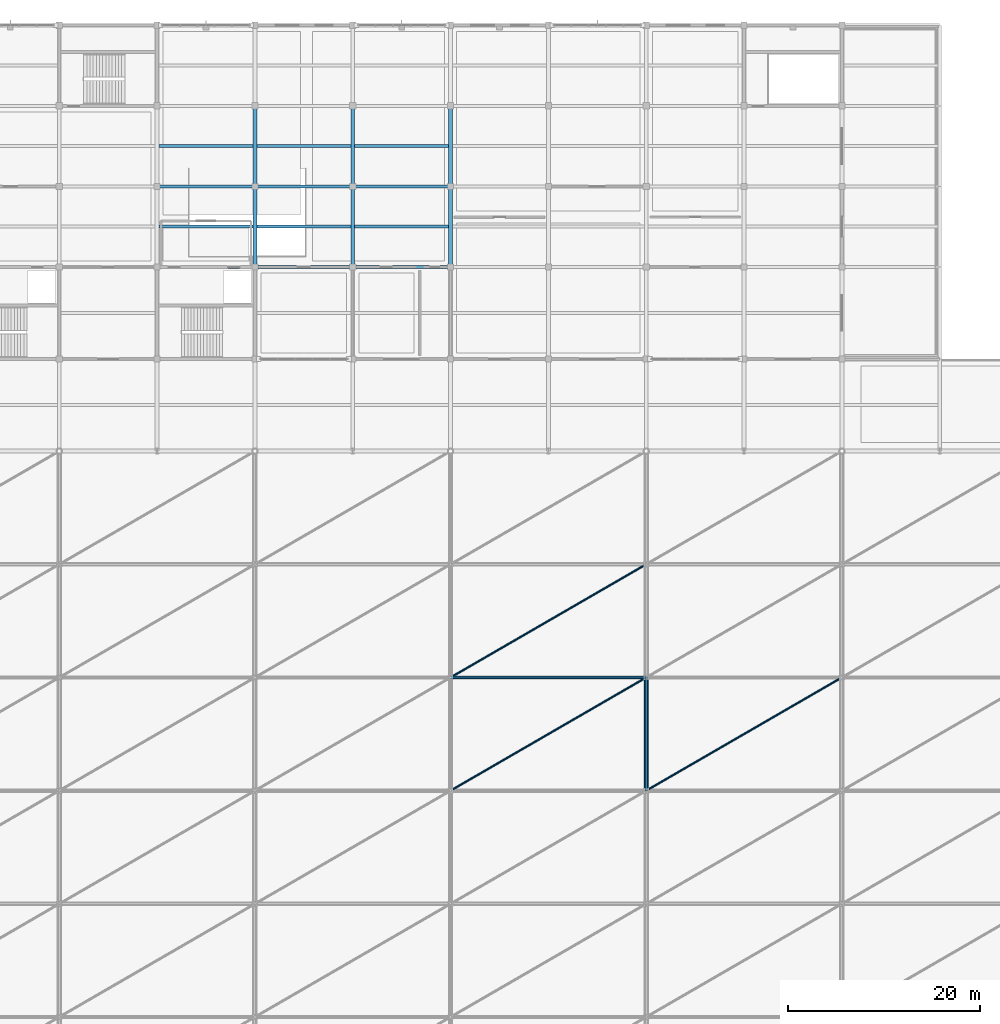
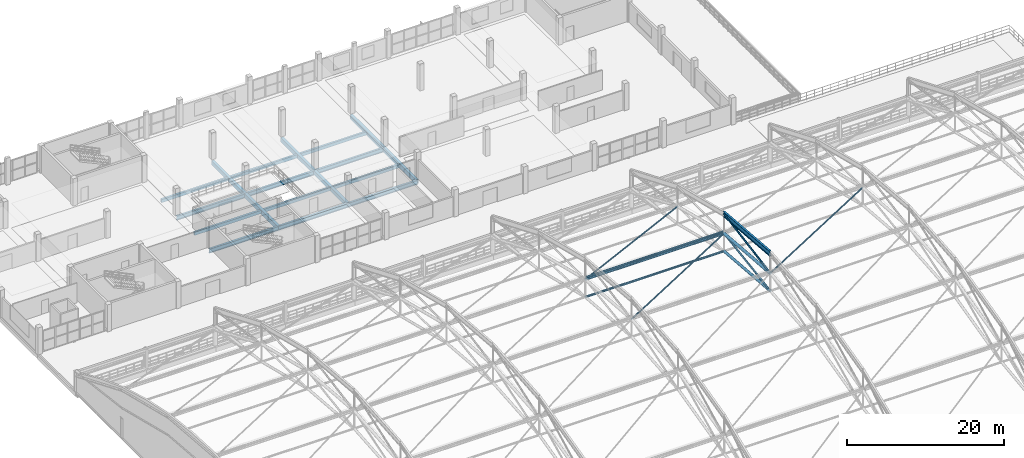
# One storey, part 37 of 135: 19 beams, 10 members.
"""IFC4 building model written with IfcOpenShell, lengths in metres."""

from ifc_helpers import new_model, si_unit, direction, frame, origin, origin_2d, place, context, subcontext, project, spatial, rectangle, hollow_circle, i_section, extrude, material, material_profile, profile_set, type_object, element, save


model = new_model("IFC4")

# Units and contexts
model_context = context("Model", 3, precision=1e-05, world=origin(), true_north=direction((0.0, 1.0)))
body_context = subcontext(model_context, "Body", "Model", "MODEL_VIEW")
ifc_project = project(units=[si_unit("LENGTHUNIT", "METRE"), si_unit("AREAUNIT", "SQUARE_METRE"), si_unit("VOLUMEUNIT", "CUBIC_METRE"), si_unit("PLANEANGLEUNIT", "RADIAN"), si_unit("MASSUNIT", "GRAM", prefix="KILO")], contexts=[model_context])

# Site, building, storey
site_placement = place(None, origin())
site = spatial("IfcSite", under=ifc_project, at=site_placement, CompositionType="ELEMENT")
building_placement = place(site_placement, origin())
building = spatial("IfcBuilding", under=site, at=building_placement, Name="Brelvane Convention Centre", CompositionType="ELEMENT")
storey_placement = place(building_placement, frame((0.0, 0.0, 15.0)))
storey = spatial("IfcBuildingStorey", under=building, at=storey_placement, Name="L03", CompositionType="ELEMENT", Elevation=15.0)

# Beams
ifc_material_1 = material(Name="Concrete M40", Category="concrete")
ifc_material_profile_1 = material_profile(ifc_material_1, rectangle(XDim=0.39990234375, YDim=0.64990234375, at=origin_2d()), Name="RC 400x650")
ifc_profile_set_1 = profile_set([ifc_material_profile_1], Name="Concrete M40")
beam_type_1 = type_object("IfcBeamType", Name="RC Beam B-RC7 (RC 400x650)", PredefinedType="BEAM", material=ifc_profile_set_1)
beam_1_placement = place(storey_placement, frame((40.800048828125, 118.800048828125, -0.6201171875), z_axis=(0.0, 1.0, 0.0), x_axis=(-1.0, 0.0, 0.0)))
element("IfcBeam", 1, at=beam_1_placement, inside=storey, type_object=beam_type_1, Name="L03 Girder 5/M-N", PredefinedType="BEAM", context=body_context, shape_type="SweptSolid", body=[
    extrude(rectangle(XDim=0.39990234375, YDim=0.64990234375, at=origin_2d()), origin(), (0.0, 0.0, 1.0), 8.39990234375),
])
beam_2_placement = place(storey_placement, frame((40.800048828125, 127.199951171875, -0.6201171875), z_axis=(0.0, 1.0, 0.0), x_axis=(-1.0, 0.0, 0.0)))
element("IfcBeam", 2, at=beam_2_placement, inside=storey, type_object=beam_type_1, Name="L03 Girder 5/N-P", PredefinedType="BEAM", context=body_context, shape_type="SweptSolid", body=[
    extrude(rectangle(XDim=0.39990234375, YDim=0.64990234375, at=origin_2d()), origin(), (0.0, 0.0, 1.0), 8.400146484375),
])
beam_3_placement = place(storey_placement, frame((51.0, 118.800048828125, -0.6201171875), z_axis=(0.0, 1.0, 0.0), x_axis=(-1.0, 0.0, 0.0)))
element("IfcBeam", 3, at=beam_3_placement, inside=storey, type_object=beam_type_1, Name="L03 Girder 6/M-N", PredefinedType="BEAM", context=body_context, shape_type="SweptSolid", body=[
    extrude(rectangle(XDim=0.39990234375, YDim=0.64990234375, at=origin_2d()), origin(), (0.0, 0.0, 1.0), 8.39990234375),
])
beam_4_placement = place(storey_placement, frame((51.0, 127.199951171875, -0.6201171875), z_axis=(0.0, 1.0, 0.0), x_axis=(-1.0, 0.0, 0.0)))
element("IfcBeam", 4, at=beam_4_placement, inside=storey, type_object=beam_type_1, Name="L03 Girder 6/N-P", PredefinedType="BEAM", context=body_context, shape_type="SweptSolid", body=[
    extrude(rectangle(XDim=0.39990234375, YDim=0.64990234375, at=origin_2d()), origin(), (0.0, 0.0, 1.0), 8.400146484375),
])
beam_5_placement = place(storey_placement, frame((61.199951171875, 118.800048828125, -0.6201171875), z_axis=(0.0, 1.0, 0.0), x_axis=(-1.0, 0.0, 0.0)))
element("IfcBeam", 5, at=beam_5_placement, inside=storey, type_object=beam_type_1, Name="L03 Girder 7/M-N", PredefinedType="BEAM", context=body_context, shape_type="SweptSolid", body=[
    extrude(rectangle(XDim=0.39990234375, YDim=0.64990234375, at=origin_2d()), origin(), (0.0, 0.0, 1.0), 8.39990234375),
])
beam_6_placement = place(storey_placement, frame((61.199951171875, 127.199951171875, -0.6201171875), z_axis=(0.0, 1.0, 0.0), x_axis=(-1.0, 0.0, 0.0)))
element("IfcBeam", 6, at=beam_6_placement, inside=storey, type_object=beam_type_1, Name="L03 Girder 7/N-P", PredefinedType="BEAM", context=body_context, shape_type="SweptSolid", body=[
    extrude(rectangle(XDim=0.39990234375, YDim=0.64990234375, at=origin_2d()), origin(), (0.0, 0.0, 1.0), 8.400146484375),
])
ifc_material_2 = material(Name="Concrete M40", Category="concrete")
ifc_material_profile_2 = material_profile(ifc_material_2, rectangle(XDim=0.300048828125, YDim=0.5, at=origin_2d()), Name="RC 300x500")
ifc_profile_set_2 = profile_set([ifc_material_profile_2], Name="Concrete M40")
beam_type_2 = type_object("IfcBeamType", Name="RC Joist J-RC2 (RC 300x500)", PredefinedType="JOIST", material=ifc_profile_set_2)
for number, where, z_axis, x_axis, name in (
    (7, (30.800048828125, 123.0, -0.544921875), (1.0, 0.0, 0.0), (0.0, 1.0, 0.0), "L03 Secondary Joist 4-5/MN"),
    (8, (30.800048828125, 131.39990234375, -0.544921875), (1.0, 0.0, 0.0), (0.0, 1.0, 0.0), "L03 Secondary Joist 4-5/NP"),
    (9, (41.0, 123.0, -0.544921875), (1.0, 0.0, 0.0), (0.0, 1.0, 0.0), "L03 Secondary Joist 5-6/MN"),
    (10, (41.0, 131.39990234375, -0.544921875), (1.0, 0.0, 0.0), (0.0, 1.0, 0.0), "L03 Secondary Joist 5-6/NP"),
    (11, (51.199951171875, 123.0, -0.544921875), (1.0, 0.0, 0.0), (0.0, 1.0, 0.0), "L03 Secondary Joist 6-7/MN"),
    (12, (51.199951171875, 131.39990234375, -0.544921875), (1.0, 0.0, 0.0), (0.0, 1.0, 0.0), "L03 Secondary Joist 6-7/NP"),
):
    element("IfcBeam", number, at=place(storey_placement, frame(where, z_axis=z_axis, x_axis=x_axis)), inside=storey, type_object=beam_type_2, Name=name, PredefinedType="JOIST", context=body_context, shape_type="SweptSolid", body=[
        extrude(rectangle(XDim=0.300048828125, YDim=0.5, at=origin_2d()), origin(), (0.0, 0.0, 1.0), 9.800048828125),
    ])
ifc_material_3 = material(Name="Steel E450 (450 MPa)", Category="steel")
ifc_material_profile_3 = material_profile(ifc_material_3, i_section(OverallWidth=0.300048828125, OverallDepth=0.800048828125, WebThickness=0.015380859375, FlangeThickness=0.030029296875, FilletRadius=0.027099609375, at=origin_2d()), Name="NPB 800x300")
ifc_profile_set_3 = profile_set([ifc_material_profile_3], Name="Steel E450 (450 MPa)")
beam_type_3 = type_object("IfcBeamType", Name="Steel Beam B-ST2 (NPB 800x300)", PredefinedType="BEAM", material=ifc_profile_set_3)
beam_7_placement = place(storey_placement, frame((81.60009765625, 64.199951171875, 14.199951171875), z_axis=(0.0, 0.996584470208, -0.082579620615), x_axis=(-1.0, 0.0, 0.0)))
element("IfcBeam", 13, at=beam_7_placement, inside=storey, type_object=beam_type_3, Name="EXO_EXH Exoskeletal Arch Girder 5.4", PredefinedType="BEAM", context=body_context, shape_type="SweptSolid", body=[
    extrude(i_section(OverallWidth=0.300048828125, OverallDepth=0.800048828125, WebThickness=0.015380859375, FlangeThickness=0.030029296875, FilletRadius=0.027099609375, at=origin_2d()), origin(), (0.0, 0.0, 1.0), 11.840576171875),
])
ifc_material_4 = material(Name="Steel E350 (350 MPa)", Category="steel")
ifc_material_profile_4 = material_profile(ifc_material_4, i_section(OverallWidth=0.300048828125, OverallDepth=0.64990234375, WebThickness=0.014404296875, FlangeThickness=0.02587890625, FilletRadius=0.02392578125, at=origin_2d()), Name="NPB 650x300")
ifc_profile_set_4 = profile_set([ifc_material_profile_4], Name="Steel E350 (350 MPa)")
beam_type_4 = type_object("IfcBeamType", Name="Steel Beam B-ST4 (NPB 650x300)", PredefinedType="BEAM", material=ifc_profile_set_4)
for number, where, z_axis, x_axis, name in (
    (14, (30.60009765625, 118.800048828125, -0.6201171875), (1.0, 0.0, 0.0), (0.0, 1.0, 0.0), "L03 Beam 4-5/M"),
    (15, (30.60009765625, 127.199951171875, -0.6201171875), (1.0, 0.0, 0.0), (0.0, 1.0, 0.0), "L03 Beam 4-5/N"),
    (16, (40.800048828125, 118.800048828125, -0.6201171875), (1.0, 0.0, 0.0), (0.0, 1.0, 0.0), "L03 Beam 5-6/M"),
    (17, (40.800048828125, 127.199951171875, -0.6201171875), (1.0, 0.0, 0.0), (0.0, 1.0, 0.0), "L03 Beam 5-6/N"),
    (18, (51.0, 118.800048828125, -0.6201171875), (1.0, 0.0, 0.0), (0.0, 1.0, 0.0), "L03 Beam 6-7/M"),
    (19, (51.0, 127.199951171875, -0.6201171875), (1.0, 0.0, 0.0), (0.0, 1.0, 0.0), "L03 Beam 6-7/N"),
):
    element("IfcBeam", number, at=place(storey_placement, frame(where, z_axis=z_axis, x_axis=x_axis)), inside=storey, type_object=beam_type_4, Name=name, PredefinedType="BEAM", context=body_context, shape_type="SweptSolid", body=[
        extrude(i_section(OverallWidth=0.300048828125, OverallDepth=0.64990234375, WebThickness=0.014404296875, FlangeThickness=0.02587890625, FilletRadius=0.02392578125, at=origin_2d()), origin(), (0.0, 0.0, 1.0), 10.199951171875),
    ])

# Members
ifc_material_5 = material(Name="Steel E350 (350 MPa)", Category="steel")
ifc_material_profile_5 = material_profile(ifc_material_5, hollow_circle(Radius=0.136474609375, WallThickness=0.012451171875, at=origin_2d()), Name="CHS 273.0x12.5")
ifc_profile_set_5 = profile_set([ifc_material_profile_5], Name="Steel E350 (350 MPa)")
member_type_1 = type_object("IfcMemberType", Name="Steel Brace SF-DG1 (CHS 273.0x12.5)", PredefinedType="BRACE", material=ifc_profile_set_5)
member_1_placement = place(storey_placement, frame((81.60009765625, 64.199951171875, 8.39990234375), z_axis=(0.0, 0.989032056502, 0.147701019672), x_axis=(-1.0, 0.0, 0.0)))
element("IfcMember", 20, at=member_1_placement, inside=storey, type_object=member_type_1, Name="SF_EXH Space-Frame Web Diagonal D5.4", PredefinedType="BRACE", context=body_context, shape_type="SweptSolid", body=[
    extrude(hollow_circle(Radius=0.136474609375, WallThickness=0.012451171875, at=origin_2d()), origin(), (0.0, 0.0, 1.0), 11.930908203125),
])
member_2_placement = place(storey_placement, frame((81.60009765625, 64.199951171875, 11.139892578125), z_axis=(0.0, 0.984784789498, 0.173778359912), x_axis=(-1.0, 0.0, 0.0)))
element("IfcMember", 21, at=member_2_placement, inside=storey, type_object=member_type_1, Name="EXO_EXH Exoskeletal Arch Web 5.4", PredefinedType="BRACE", context=body_context, shape_type="SweptSolid", body=[
    extrude(hollow_circle(Radius=0.136474609375, WallThickness=0.012451171875, at=origin_2d()), origin(), (0.0, 0.0, 1.0), 11.982421875),
])
ifc_material_6 = material(Name="Steel E350 (350 MPa)", Category="steel")
ifc_material_profile_6 = material_profile(ifc_material_6, hollow_circle(Radius=0.109619140625, WallThickness=0.010009765625, at=origin_2d()), Name="CHS 219.1x10.0")
ifc_profile_set_6 = profile_set([ifc_material_profile_6], Name="Steel E350 (350 MPa)")
member_type_2 = type_object("IfcMemberType", Name="Steel Brace SF-DG2 (CHS 219.1x10.0)", PredefinedType="BRACE", material=ifc_profile_set_6)
member_3_placement = place(storey_placement, frame((61.199951171875, 64.199951171875, 11.139892578125), z_axis=(0.864876490486, 0.500270173346, -0.041453707493), x_axis=(-0.500700562715, 0.865620555727, 0.0)))
element("IfcMember", 22, at=member_3_placement, inside=storey, type_object=member_type_2, Name="SF_EXH Roof Diaphragm Brace PB4.4", PredefinedType="BRACE", context=body_context, shape_type="SweptSolid", body=[
    extrude(hollow_circle(Radius=0.109619140625, WallThickness=0.010009765625, at=origin_2d()), origin(), (0.0, 0.0, 1.0), 23.58740234375),
])
member_4_placement = place(storey_placement, frame((61.199951171875, 76.0, 10.162109375), z_axis=(0.858993332248, 0.496867180406, -0.123504899456), x_axis=(-0.500700562715, 0.865620555727, 0.0)))
element("IfcMember", 23, at=member_4_placement, inside=storey, type_object=member_type_2, Name="SF_EXH Roof Diaphragm Brace PB4.5", PredefinedType="BRACE", context=body_context, shape_type="SweptSolid", body=[
    extrude(hollow_circle(Radius=0.109619140625, WallThickness=0.010009765625, at=origin_2d()), origin(), (0.0, 0.0, 1.0), 23.748779296875),
])
member_5_placement = place(storey_placement, frame((81.60009765625, 64.199951171875, 11.139892578125), z_axis=(0.864873882245, 0.500274651745, -0.041454078585), x_axis=(-0.500705052683, 0.865617958581, 0.0)))
element("IfcMember", 24, at=member_5_placement, inside=storey, type_object=member_type_2, Name="SF_EXH Roof Diaphragm Brace PB5.4", PredefinedType="BRACE", context=body_context, shape_type="SweptSolid", body=[
    extrude(hollow_circle(Radius=0.109619140625, WallThickness=0.010009765625, at=origin_2d()), origin(), (0.0, 0.0, 1.0), 23.587158203125),
])
ifc_material_7 = material(Name="Steel E450 (450 MPa)", Category="steel")
ifc_material_profile_7 = material_profile(ifc_material_7, hollow_circle(Radius=0.203125, WallThickness=0.01611328125, at=origin_2d()), Name="CHS 406.4x16.0")
ifc_profile_set_7 = profile_set([ifc_material_profile_7], Name="Steel E450 (450 MPa)")
member_type_3 = type_object("IfcMemberType", Name="Steel Chord SF-BC1 (CHS 406.4x16.0)", PredefinedType="CHORD", material=ifc_profile_set_7)
member_6_placement = place(storey_placement, frame((81.60009765625, 64.199951171875, 8.39990234375), z_axis=(0.0, 0.996584470208, -0.082579620615), x_axis=(-1.0, 0.0, 0.0)))
element("IfcMember", 25, at=member_6_placement, inside=storey, type_object=member_type_3, Name="SF_EXH Space-Frame Bottom Chord B5.4", PredefinedType="CHORD", context=body_context, shape_type="SweptSolid", body=[
    extrude(hollow_circle(Radius=0.203125, WallThickness=0.01611328125, at=origin_2d()), origin(), (0.0, 0.0, 1.0), 11.840576171875),
])
ifc_material_8 = material(Name="Steel E350 (350 MPa)", Category="steel")
ifc_material_profile_8 = material_profile(ifc_material_8, hollow_circle(Radius=0.161865234375, WallThickness=0.012451171875, at=origin_2d()), Name="CHS 323.9x12.5")
ifc_profile_set_8 = profile_set([ifc_material_profile_8], Name="Steel E350 (350 MPa)")
member_type_4 = type_object("IfcMemberType", Name="Steel Chord SF-BC2 (CHS 323.9x12.5)", PredefinedType="CHORD", material=ifc_profile_set_8)
member_7_placement = place(storey_placement, frame((61.199951171875, 76.0, 7.422119140625), z_axis=(1.0, 0.0, 0.0), x_axis=(0.0, 1.0, 0.0)))
element("IfcMember", 26, at=member_7_placement, inside=storey, type_object=member_type_4, Name="SF_EXH Longitudinal Bottom Chord LB4.5", PredefinedType="CHORD", context=body_context, shape_type="SweptSolid", body=[
    extrude(hollow_circle(Radius=0.161865234375, WallThickness=0.012451171875, at=origin_2d()), origin(), (0.0, 0.0, 1.0), 20.400146484375),
])
ifc_material_9 = material(Name="Steel E450 (450 MPa)", Category="steel")
ifc_material_profile_9 = material_profile(ifc_material_9, hollow_circle(Radius=0.228515625, WallThickness=0.02001953125, at=origin_2d()), Name="CHS 457.0x20.0")
ifc_profile_set_9 = profile_set([ifc_material_profile_9], Name="Steel E450 (450 MPa)")
member_type_5 = type_object("IfcMemberType", Name="Steel Chord SF-TC1 (CHS 457.0x20.0)", PredefinedType="CHORD", material=ifc_profile_set_9)
member_8_placement = place(storey_placement, frame((81.60009765625, 64.199951171875, 11.139892578125), z_axis=(0.0, 0.996584470208, -0.082579620615), x_axis=(-1.0, 0.0, 0.0)))
element("IfcMember", 27, at=member_8_placement, inside=storey, type_object=member_type_5, Name="SF_EXH Space-Frame Top Chord T5.4", PredefinedType="CHORD", context=body_context, shape_type="SweptSolid", body=[
    extrude(hollow_circle(Radius=0.228515625, WallThickness=0.02001953125, at=origin_2d()), origin(), (0.0, 0.0, 1.0), 11.840576171875),
])
ifc_material_10 = material(Name="Steel E450 (450 MPa)", Category="steel")
ifc_material_profile_10 = material_profile(ifc_material_10, hollow_circle(Radius=0.177734375, WallThickness=0.01611328125, at=origin_2d()), Name="CHS 355.6x16.0")
ifc_profile_set_10 = profile_set([ifc_material_profile_10], Name="Steel E450 (450 MPa)")
member_type_6 = type_object("IfcMemberType", Name="Steel Chord SF-TC2 (CHS 355.6x16.0)", PredefinedType="CHORD", material=ifc_profile_set_10)
member_9_placement = place(storey_placement, frame((61.199951171875, 76.0, 10.162109375), z_axis=(1.0, 0.0, 0.0), x_axis=(0.0, 1.0, 0.0)))
element("IfcMember", 28, at=member_9_placement, inside=storey, type_object=member_type_6, Name="SF_EXH Longitudinal Top Chord LT4.5", PredefinedType="CHORD", context=body_context, shape_type="SweptSolid", body=[
    extrude(hollow_circle(Radius=0.177734375, WallThickness=0.01611328125, at=origin_2d()), origin(), (0.0, 0.0, 1.0), 20.400146484375),
])
ifc_material_11 = material(Name="Steel E350 (350 MPa)", Category="steel")
ifc_material_profile_11 = material_profile(ifc_material_11, i_section(OverallWidth=0.125, OverallDepth=0.25, WebThickness=0.0068359375, FlangeThickness=0.012451171875, FilletRadius=0.012939453125, at=origin_2d()), Name="ISMB 250")
ifc_profile_set_11 = profile_set([ifc_material_profile_11], Name="Steel E350 (350 MPa)")
member_type_7 = type_object("IfcMemberType", Name="Steel Purlin PR-ST1 (ISMB 250)", PredefinedType="PURLIN", material=ifc_profile_set_11)
member_10_placement = place(storey_placement, frame((61.199951171875, 76.0, 10.497314453125), z_axis=(1.0, 0.0, 0.0), x_axis=(0.0, 1.0, 0.0)))
element("IfcMember", 29, at=member_10_placement, inside=storey, type_object=member_type_7, Name="SF_EXH Roof Purlin P4.5", PredefinedType="PURLIN", context=body_context, shape_type="SweptSolid", body=[
    extrude(i_section(OverallWidth=0.125, OverallDepth=0.25, WebThickness=0.0068359375, FlangeThickness=0.012451171875, FilletRadius=0.012939453125, at=origin_2d()), origin(), (0.0, 0.0, 1.0), 20.400146484375),
])

save(model, "model.ifc")
